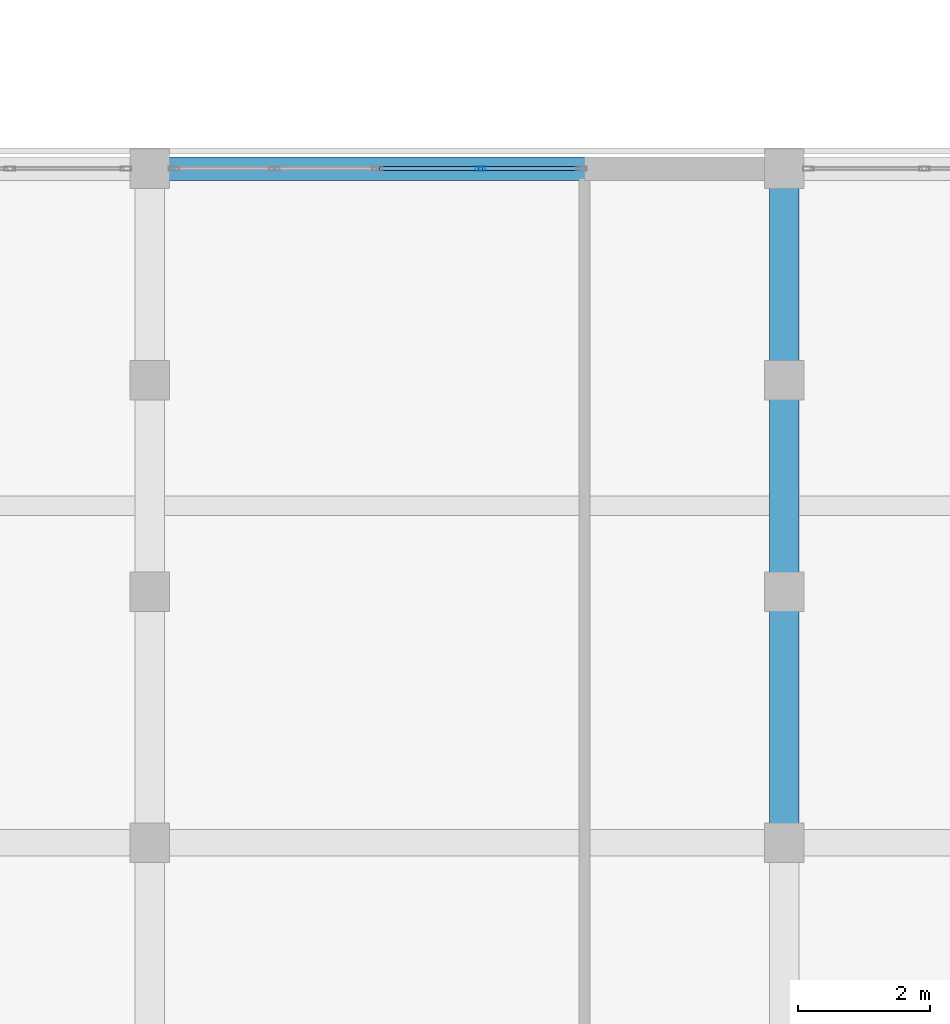
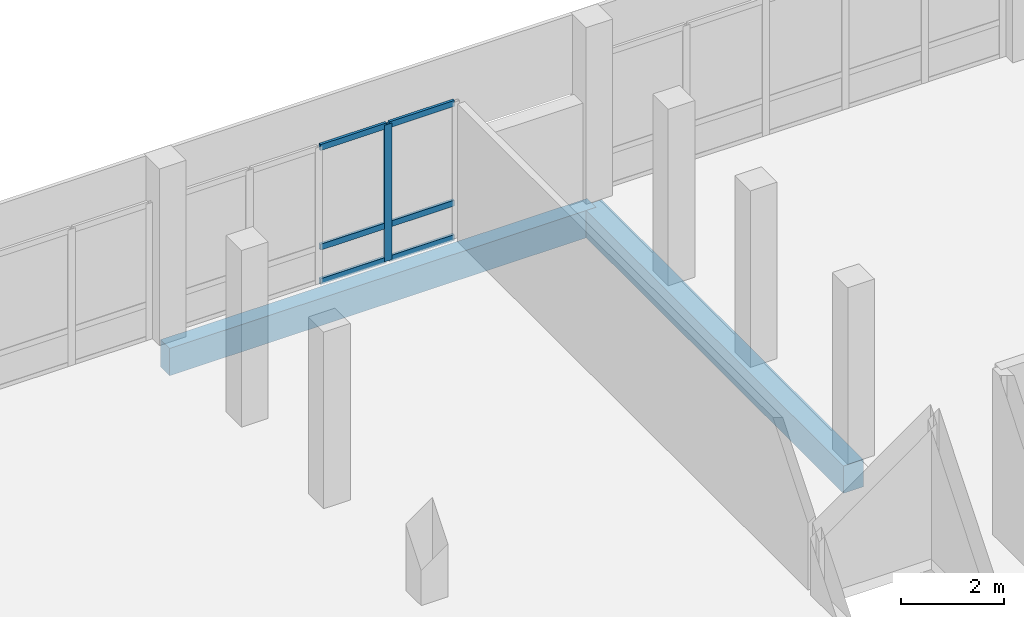
# One storey, part 20 of 93: 7 members, 2 beams, 1 element without a shape of its own.
"""IFC4 building model written with IfcOpenShell, lengths in metres."""

from ifc_helpers import new_model, si_unit, direction, frame, origin, origin_2d, place, context, subcontext, project, spatial, rectangle, hollow_rectangle, extrude, material, material_profile, profile_set, type_object, element, aggregate, save


model = new_model("IFC4")

# Units and contexts
model_context = context("Model", 3, precision=1e-05, world=origin(), true_north=direction((0.0, 1.0)))
body_context = subcontext(model_context, "Body", "Model", "MODEL_VIEW")
ifc_project = project(units=[si_unit("LENGTHUNIT", "METRE"), si_unit("AREAUNIT", "SQUARE_METRE"), si_unit("VOLUMEUNIT", "CUBIC_METRE"), si_unit("PLANEANGLEUNIT", "RADIAN"), si_unit("MASSUNIT", "GRAM", prefix="KILO")], contexts=[model_context])

# Site, building, storey
site_placement = place(None, origin())
site = spatial("IfcSite", under=ifc_project, at=site_placement, CompositionType="ELEMENT")
building_placement = place(site_placement, origin())
building = spatial("IfcBuilding", under=site, at=building_placement, Name="Vondelvale Polytechnic", CompositionType="ELEMENT")
storey_placement = place(building_placement, frame((0.0, 0.0, 18.0)))
storey = spatial("IfcBuildingStorey", under=building, at=storey_placement, Name="L04", CompositionType="ELEMENT", Elevation=18.0)

# Beam
ifc_material_1 = material(Name="Concrete N40 (f'c = 40 MPa)", Category="concrete")
ifc_material_profile_1 = material_profile(ifc_material_1, rectangle(XDim=0.449951171875, YDim=0.64990234375, at=origin_2d()), Name="RC-BM-450x650")
ifc_profile_set_1 = profile_set([ifc_material_profile_1], Name="Concrete N40 (f'c = 40 MPa)")
beam_type_1 = type_object("IfcBeamType", Name="BM-RC450x650", PredefinedType="BEAM", material=ifc_profile_set_1)
beam_1_placement = place(storey_placement, frame((19.199951171875, 30.60009765625, -0.574951171875), z_axis=(0.0, 1.0, 0.0), x_axis=(-1.0, 0.0, 0.0)))
element("IfcBeam", 1, at=beam_1_placement, inside=storey, type_object=beam_type_1, Name="L04 B B-04", PredefinedType="BEAM", context=body_context, shape_type="SweptSolid", body=[
    extrude(rectangle(XDim=0.449951171875, YDim=0.64990234375, at=origin_2d()), origin(), (0.0, 0.0, 1.0), 10.199951171875),
])

# Curtain wall, members
ifc_material_2 = material(Name="Anodised extruded aluminium 6063-T6", Category="aluminium")
curtain_wall_type = type_object("IfcCurtainWallType", Name="CW-STUDIO-NORTH", PredefinedType="NOTDEFINED", material=ifc_material_2)
curtain_wall_placement = place(storey_placement, origin())
curtain_wall = element("IfcCurtainWall", 2, at=curtain_wall_placement, inside=storey, type_object=curtain_wall_type, Name="L04 architectural curtain wall CW-01-038", PredefinedType="NOTDEFINED")
ifc_material_profile_2 = material_profile(ifc_material_2, hollow_rectangle(XDim=0.06494140625, YDim=0.159912109375, WallThickness=0.0048828125, at=origin_2d()), Name="CW-MUL-160x65")
ifc_profile_set_2 = profile_set([ifc_material_profile_2], Name="Anodised extruded aluminium 6063-T6")
member_type_1 = type_object("IfcMemberType", Name="CW-MUL-65x160", PredefinedType="MULLION", material=ifc_profile_set_2)
member_1_placement = place(storey_placement, frame((14.6025390625, 40.800048828125, 0.0), z_axis=(0.0, 0.0, 1.0), x_axis=(0.0, 1.0, 0.0)))
member_1 = element("IfcMember", 3, at=member_1_placement, type_object=member_type_1, Name="CW-01-038 mullion 4", PredefinedType="MULLION", context=body_context, shape_type="SweptSolid", body=[
    extrude(hollow_rectangle(XDim=0.06494140625, YDim=0.159912109375, WallThickness=0.0048828125, at=origin_2d()), origin(), (0.0, 0.0, 1.0), 3.25),
])
ifc_material_profile_3 = material_profile(ifc_material_2, hollow_rectangle(XDim=0.06005859375, YDim=0.139892578125, WallThickness=0.00341796875, at=origin_2d()), Name="CW-TRN-140x60")
ifc_profile_set_3 = profile_set([ifc_material_profile_3], Name="Anodised extruded aluminium 6063-T6")
member_type_2 = type_object("IfcMemberType", Name="CW-TRN-60x140", PredefinedType="USERDEFINED", material=ifc_profile_set_3)
member_2_placement = place(storey_placement, frame((13.077392578125, 40.800048828125, 0.030029296875), z_axis=(1.0, 0.0, 0.0), x_axis=(0.0, 1.0, 0.0)))
member_2 = element("IfcMember", 4, at=member_2_placement, type_object=member_type_2, Name="CW-01-038 transom 3.1", ObjectType="TRANSOM", PredefinedType="USERDEFINED", context=body_context, shape_type="SweptSolid", body=[
    extrude(hollow_rectangle(XDim=0.06005859375, YDim=0.139892578125, WallThickness=0.00341796875, at=origin_2d()), origin(), (0.0, 0.0, 1.0), 1.49267578125),
])
member_3_placement = place(storey_placement, frame((13.077392578125, 40.800048828125, 0.85009765625), z_axis=(1.0, 0.0, 0.0), x_axis=(0.0, 1.0, 0.0)))
member_3 = element("IfcMember", 5, at=member_3_placement, type_object=member_type_2, Name="CW-01-038 transom 3.2", ObjectType="TRANSOM", PredefinedType="USERDEFINED", context=body_context, shape_type="SweptSolid", body=[
    extrude(hollow_rectangle(XDim=0.06005859375, YDim=0.139892578125, WallThickness=0.00341796875, at=origin_2d()), origin(), (0.0, 0.0, 1.0), 1.49267578125),
])
member_4_placement = place(storey_placement, frame((13.077392578125, 40.800048828125, 3.219970703125), z_axis=(1.0, 0.0, 0.0), x_axis=(0.0, 1.0, 0.0)))
member_4 = element("IfcMember", 6, at=member_4_placement, type_object=member_type_2, Name="CW-01-038 transom 3.3", ObjectType="TRANSOM", PredefinedType="USERDEFINED", context=body_context, shape_type="SweptSolid", body=[
    extrude(hollow_rectangle(XDim=0.06005859375, YDim=0.139892578125, WallThickness=0.00341796875, at=origin_2d()), origin(), (0.0, 0.0, 1.0), 1.49267578125),
])
member_5_placement = place(storey_placement, frame((14.635009765625, 40.800048828125, 0.030029296875), z_axis=(1.0, 0.0, 0.0), x_axis=(0.0, 1.0, 0.0)))
member_5 = element("IfcMember", 7, at=member_5_placement, type_object=member_type_2, Name="CW-01-038 transom 4.1", ObjectType="TRANSOM", PredefinedType="USERDEFINED", context=body_context, shape_type="SweptSolid", body=[
    extrude(hollow_rectangle(XDim=0.06005859375, YDim=0.139892578125, WallThickness=0.00341796875, at=origin_2d()), origin(), (0.0, 0.0, 1.0), 1.4599609375),
])
member_6_placement = place(storey_placement, frame((14.635009765625, 40.800048828125, 0.85009765625), z_axis=(1.0, 0.0, 0.0), x_axis=(0.0, 1.0, 0.0)))
member_6 = element("IfcMember", 8, at=member_6_placement, type_object=member_type_2, Name="CW-01-038 transom 4.2", ObjectType="TRANSOM", PredefinedType="USERDEFINED", context=body_context, shape_type="SweptSolid", body=[
    extrude(hollow_rectangle(XDim=0.06005859375, YDim=0.139892578125, WallThickness=0.00341796875, at=origin_2d()), origin(), (0.0, 0.0, 1.0), 1.4599609375),
])
member_7_placement = place(storey_placement, frame((14.635009765625, 40.800048828125, 3.219970703125), z_axis=(1.0, 0.0, 0.0), x_axis=(0.0, 1.0, 0.0)))
member_7 = element("IfcMember", 9, at=member_7_placement, type_object=member_type_2, Name="CW-01-038 transom 4.3", ObjectType="TRANSOM", PredefinedType="USERDEFINED", context=body_context, shape_type="SweptSolid", body=[
    extrude(hollow_rectangle(XDim=0.06005859375, YDim=0.139892578125, WallThickness=0.00341796875, at=origin_2d()), origin(), (0.0, 0.0, 1.0), 1.4599609375),
])
aggregate(curtain_wall, [member_1, member_2, member_3, member_4, member_5, member_6, member_7])

# Beam
ifc_material_3 = material(Name="Precast concrete N40 (f'c = 40 MPa)", Category="concrete")
ifc_material_profile_4 = material_profile(ifc_material_3, rectangle(XDim=0.35009765625, YDim=0.64990234375, at=origin_2d()), Name="RC-SPN-350x650")
ifc_profile_set_4 = profile_set([ifc_material_profile_4], Name="Precast concrete N40 (f'c = 40 MPa)")
beam_type_2 = type_object("IfcBeamType", Name="SPN-PRE350x650", PredefinedType="SPANDREL", material=ifc_profile_set_4)
beam_2_placement = place(storey_placement, frame((9.60009765625, 40.800048828125, -0.574951171875), z_axis=(1.0, 0.0, 0.0), x_axis=(0.0, 1.0, 0.0)))
element("IfcBeam", 10, at=beam_2_placement, inside=storey, type_object=beam_type_2, Name="L04 B SP-02", PredefinedType="SPANDREL", context=body_context, shape_type="SweptSolid", body=[
    extrude(rectangle(XDim=0.35009765625, YDim=0.64990234375, at=origin_2d()), origin(), (0.0, 0.0, 1.0), 9.599853515625),
])

save(model, "model.ifc")
